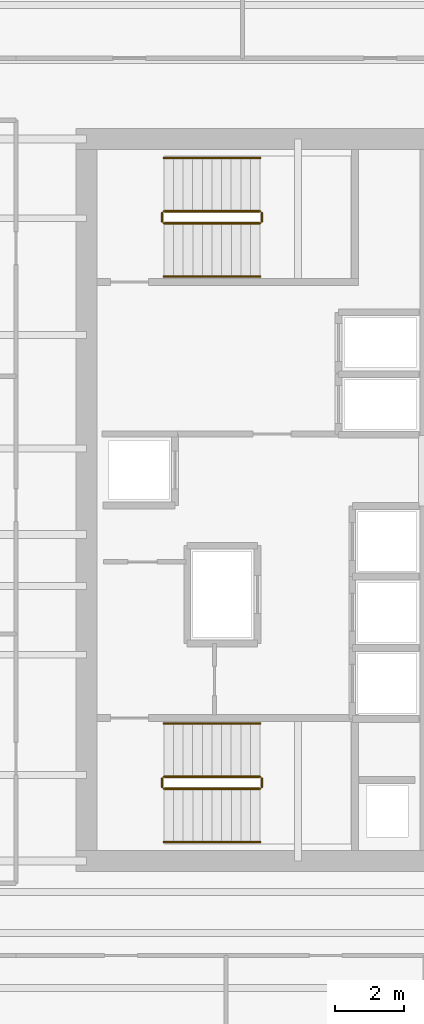
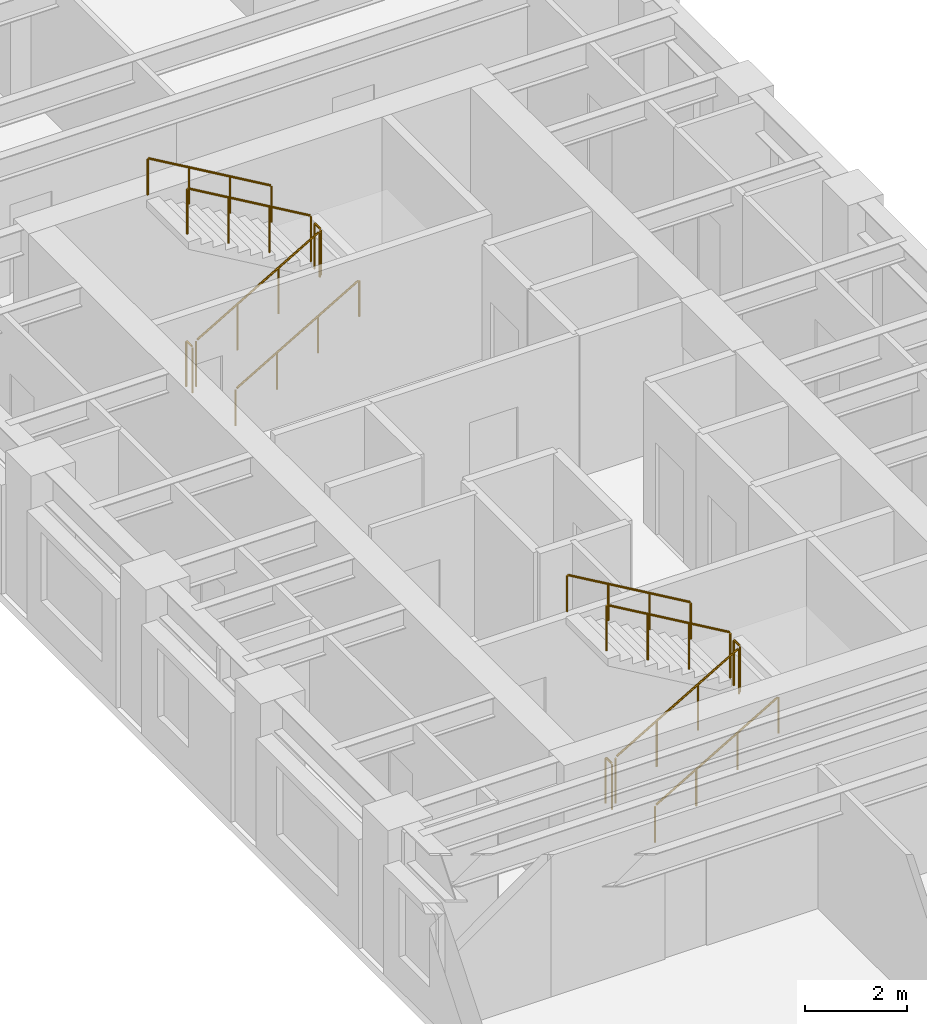
# One storey, part 10 of 11: 12 railings.
"""IFC4 building model written with IfcOpenShell, lengths in metres."""

import ifcopenshell
import ifcopenshell.guid

model = None  # the IFC model being written
_history = None  # IfcOwnerHistory: only IFC2X3 demands one
_inside = {}  # id of a spatial element -> (the spatial element, [elements in it])
_under = {}  # id of a project, library or spatial element -> (it, [spatial elements below it])
_declared = {}  # id of a project -> (the project, [libraries it declares])
_typed = {}  # id of a type object -> (the type object, [elements of that type])
_made_of = {}  # id of a material, layer set ... -> (it, [elements and type objects made of it])


def new_model(schema):
    """Start an empty IFC model of exactly this schema.

    Asked for "IFC4X3", IfcOpenShell would pick the latest addendum, in which some entities
    have other attributes; the version numbers below select the first issue.
    IFC2X3 requires an IfcOwnerHistory on every rooted entity: one is made here for all.
    """
    global model, _history
    if schema == "IFC4X3":
        model = ifcopenshell.file(schema_version=(4, 3, 0, 0))
    else:
        model = ifcopenshell.file(schema=schema)
    _inside.clear()
    _under.clear()
    _declared.clear()
    _typed.clear()
    _made_of.clear()
    _history = None
    if model.schema == "IFC2X3":
        org = make("IfcOrganization", Name="unknown")
        user = make(
            "IfcPersonAndOrganization",
            ThePerson=make("IfcPerson", FamilyName="unknown"),
            TheOrganization=org,
        )
        app = make(
            "IfcApplication",
            ApplicationDeveloper=org,
            Version="unknown",
            ApplicationFullName="unknown",
            ApplicationIdentifier="unknown",
        )
        _history = make(
            "IfcOwnerHistory",
            OwningUser=user,
            OwningApplication=app,
            ChangeAction="ADDED",
            CreationDate=0,
        )
    return model


def make(cls, **values):
    """One entity of the class cls with the attributes given. An attribute that is None is left unset."""
    return model.create_entity(
        cls, **{name: value for name, value in values.items() if value is not None}
    )


def rooted(cls, **values):
    """An entity with a GlobalId (a new one), such as an element, a storey or a relation."""
    return make(cls, GlobalId=ifcopenshell.guid.new(), OwnerHistory=_history, **values)


def si_unit(unit_type, name, prefix=None):
    """IfcSIUnit, for example si_unit("LENGTHUNIT", "METRE", prefix="MILLI")."""
    return make("IfcSIUnit", UnitType=unit_type, Prefix=prefix, Name=name)


def assignment(units):
    """IfcUnitAssignment: the units of a project."""
    return None if units is None else make("IfcUnitAssignment", Units=units)


def point(xyz):
    """IfcCartesianPoint."""
    return None if xyz is None else make("IfcCartesianPoint", Coordinates=xyz)


def direction(xyz):
    """IfcDirection."""
    return None if xyz is None else make("IfcDirection", DirectionRatios=xyz)


def frame(location, z_axis=None, x_axis=None):
    """IfcAxis2Placement3D, a coordinate frame: its origin and axes. An axis left out is left unset."""
    return make(
        "IfcAxis2Placement3D",
        Location=point(location),
        Axis=direction(z_axis),
        RefDirection=direction(x_axis),
    )


def frame_2d(location, x_axis=None):
    """IfcAxis2Placement2D, a coordinate frame in the plane: its origin and x axis."""
    return make(
        "IfcAxis2Placement2D", Location=point(location), RefDirection=direction(x_axis)
    )


def origin():
    """The frame at (0, 0, 0) with its axes left unset."""
    return frame((0.0, 0.0, 0.0))


def origin_2d():
    """The frame at (0, 0) in the plane with its x axis left unset."""
    return frame_2d((0.0, 0.0))


def place(relative_to, where):
    """IfcLocalPlacement: puts the frame where relative to a parent placement (None: the world)."""
    return make(
        "IfcLocalPlacement", PlacementRelTo=relative_to, RelativePlacement=where
    )


def context(
    kind, dimensions, precision=None, world=None, true_north=None, identifier=None
):
    """IfcGeometricRepresentationContext, for example the 3D "Model" context."""
    return make(
        "IfcGeometricRepresentationContext",
        ContextIdentifier=identifier,
        ContextType=kind,
        CoordinateSpaceDimension=dimensions,
        Precision=precision,
        WorldCoordinateSystem=world,
        TrueNorth=true_north,
    )


def subcontext(parent, identifier, kind, view, scale=None):
    """IfcGeometricRepresentationSubContext, for example "Body" below "Model"."""
    return make(
        "IfcGeometricRepresentationSubContext",
        ContextIdentifier=identifier,
        ContextType=kind,
        ParentContext=parent,
        TargetScale=scale,
        TargetView=view,
    )


def project(units=None, contexts=None):
    """IfcProject with its units and contexts."""
    return rooted(
        "IfcProject",
        Name="project",
        RepresentationContexts=contexts,
        UnitsInContext=assignment(units),
    )


def spatial(cls, under=None, at=None, **own):
    """A site, building, storey or space (cls), placed at a placement, below another one or the project."""
    s = rooted(cls, ObjectPlacement=at, **own)
    if under is not None:
        _under.setdefault(under.id(), (under, []))[1].append(s)
    return s


def profile(cls, at=None, kind="AREA", **sizes):
    """A parametric profile (cls). Its sizes go by their IFC names, for example OverallWidth=200.0."""
    return make(cls, ProfileType=kind, Position=at, **sizes)


def circle(**sizes):
    """IfcCircleProfileDef."""
    return profile("IfcCircleProfileDef", **sizes)


def extrude(swept, where, along, depth):
    """IfcExtrudedAreaSolid: the profile swept, set in the frame where, extruded along a direction by depth."""
    return make(
        "IfcExtrudedAreaSolid",
        SweptArea=swept,
        Position=where,
        ExtrudedDirection=direction(along),
        Depth=depth,
    )


def shape(context_of_items, identifier, shape_type, items):
    """IfcShapeRepresentation: the items that make up one representation, for example the "Body"."""
    return make(
        "IfcShapeRepresentation",
        ContextOfItems=context_of_items,
        RepresentationIdentifier=identifier,
        RepresentationType=shape_type,
        Items=items,
    )


def source(mapping_origin, context_of_items, identifier, shape_type, items):
    """IfcRepresentationMap: a shape defined once, which mapped items show again and again."""
    return make(
        "IfcRepresentationMap",
        MappingOrigin=mapping_origin,
        MappedRepresentation=shape(context_of_items, identifier, shape_type, items),
    )


def transform(
    local_origin,
    x_axis=None,
    y_axis=None,
    z_axis=None,
    scale=None,
    scale2=None,
    scale3=None,
    uniform=True,
):
    """IfcCartesianTransformationOperator3D, or its non-uniform kind. x_axis, y_axis, z_axis: its Axis1, 2, 3."""
    if uniform:
        return make(
            "IfcCartesianTransformationOperator3D",
            Axis1=direction(x_axis),
            Axis2=direction(y_axis),
            LocalOrigin=point(local_origin),
            Scale=scale,
            Axis3=direction(z_axis),
        )
    return make(
        "IfcCartesianTransformationOperator3DnonUniform",
        Axis1=direction(x_axis),
        Axis2=direction(y_axis),
        LocalOrigin=point(local_origin),
        Scale=scale,
        Axis3=direction(z_axis),
        Scale2=scale2,
        Scale3=scale3,
    )


def mapped(mapping_source, mapping_target):
    """IfcMappedItem: shows the shape of a source again, moved by a transform."""
    return make(
        "IfcMappedItem", MappingSource=mapping_source, MappingTarget=mapping_target
    )


def material(Name=None, Category=None):
    """IfcMaterial."""
    return make("IfcMaterial", Name=Name, Category=Category)


def layer(
    of_material, thickness, ventilated=None, Name=None, Category=None, Priority=None
):
    """IfcMaterialLayer: one layer of a wall or slab, of a material (None: an air gap)."""
    return make(
        "IfcMaterialLayer",
        Material=of_material,
        LayerThickness=thickness,
        IsVentilated=ventilated,
        Name=Name,
        Category=Category,
        Priority=Priority,
    )


def layer_set(layers, Name=None):
    """IfcMaterialLayerSet."""
    return make("IfcMaterialLayerSet", MaterialLayers=layers, LayerSetName=Name)


def made_of(thing, what):
    """Note that an element or type object is made of a material, layer set ...; save() writes the relation."""
    if what is not None:
        _made_of.setdefault(what.id(), (what, []))[1].append(thing)
    return thing


def type_object(cls, material=None, **own):
    """A type object (cls), such as IfcWallType, which elements share."""
    return made_of(rooted(cls, **own), material)


def element(
    cls,
    number,
    at=None,
    inside=None,
    cuts=None,
    type_object=None,
    material=None,
    context=None,
    identifier="Body",
    shape_type=None,
    held_by="IfcProductDefinitionShape",
    body=None,
    shapes=None,
    **own,
):
    """One element of the class cls, such as IfcWall. Its Tag is "e" and its number.

    at: its placement. inside: the storey or other place that contains it. cuts: it is an
    opening in that element (IfcRelVoidsElement). A single representation is given by context,
    identifier, shape_type and body (its items); several are given by shapes. held_by: the class
    of the entity that holds the representations. save() writes the other relations.
    """
    e = rooted(cls, Tag="e%d" % number, ObjectPlacement=at, **own)
    if body is not None:
        shapes = [shape(context, identifier, shape_type, body)]
    if shapes is not None:
        e.Representation = make(held_by, Representations=shapes)
    if inside is not None:
        _inside.setdefault(inside.id(), (inside, []))[1].append(e)
    if cuts is not None:
        rooted(
            "IfcRelVoidsElement", RelatingBuildingElement=cuts, RelatedOpeningElement=e
        )
    if type_object is not None:
        _typed.setdefault(type_object.id(), (type_object, []))[1].append(e)
    return made_of(e, material)


def aggregate(whole, parts):
    """IfcRelAggregates: a whole, such as a stair, and the parts it consists of."""
    return rooted("IfcRelAggregates", RelatingObject=whole, RelatedObjects=parts)


def save(model, path):
    """Write the relations noted so far, then the file.

    IfcRelAggregates (storeys below a building ...), IfcRelContainedInSpatialStructure (elements
    in a storey), IfcRelDefinesByType, IfcRelAssociatesMaterial and IfcRelDeclares: one each for
    every whole, place, type object, material and project.
    """
    for whole, parts in _under.values():
        aggregate(whole, parts)
    for where, things in _inside.values():
        rooted(
            "IfcRelContainedInSpatialStructure",
            RelatedElements=things,
            RelatingStructure=where,
        )
    for kind, things in _typed.values():
        rooted("IfcRelDefinesByType", RelatedObjects=things, RelatingType=kind)
    for what, things in _made_of.values():
        rooted("IfcRelAssociatesMaterial", RelatedObjects=things, RelatingMaterial=what)
    for by, libraries in _declared.values():
        rooted("IfcRelDeclares", RelatingContext=by, RelatedDefinitions=libraries)
    model.write(path)


model = new_model("IFC4")

# Units and contexts
model_context = context("Model", 3, precision=1e-05, world=origin(), true_north=direction((0.0, 1.0)))
body_context = subcontext(model_context, "Body", "Model", "MODEL_VIEW")
ifc_project = project(units=[si_unit("LENGTHUNIT", "METRE"), si_unit("AREAUNIT", "SQUARE_METRE"), si_unit("VOLUMEUNIT", "CUBIC_METRE"), si_unit("PLANEANGLEUNIT", "RADIAN"), si_unit("MASSUNIT", "GRAM", prefix="KILO")], contexts=[model_context])

# Site, building, storey
site_placement = place(None, origin())
site = spatial("IfcSite", under=ifc_project, at=site_placement, CompositionType="ELEMENT")
building_placement = place(site_placement, origin())
building = spatial("IfcBuilding", under=site, at=building_placement, Name="Kharzan Plaza Tower", CompositionType="ELEMENT")
storey_placement = place(building_placement, frame((0.0, 0.0, 182.699951171875)))
storey = spatial("IfcBuildingStorey", under=building, at=storey_placement, Name="L49", CompositionType="ELEMENT", Elevation=182.699951171875)

# Railings
ifc_material_1 = material(Name="Painted Galvanized Architectural Steel", Category="steel")
ifc_layer_1 = layer(ifc_material_1, 0.074951171875)
ifc_layer_set_1 = layer_set([ifc_layer_1], Name="Painted Galvanized Architectural Steel")
railing_type_1 = type_object("IfcRailingType", Name="RL-GUARD-1120", PredefinedType="BALUSTRADE", material=ifc_layer_set_1)
shared_shape_1 = source(origin(), body_context, "Body", "SweptSolid", [
    extrude(circle(Radius=0.02392578125, at=origin_2d()), frame((0.0, 0.0263671875, 1.09619140625), z_axis=(0.0, 1.0, 0.0), x_axis=(-1.0, 0.0, 0.0)), (0.0, 0.0, 1.0), 0.197021484375),
    extrude(circle(Radius=0.02099609375, at=origin_2d()), origin(), (0.0, 0.0, 1.0), 1.072021484375),
    extrude(circle(Radius=0.02099609375, at=origin_2d()), frame((0.0, 0.25, 0.0)), (0.0, 0.0, 1.0), 1.072021484375),
])
for number, where, name in (
    (1, (9.60009765625, 10.64990234375, 1.800048828125), "L49 ST-1 stair guard 2"),
    (2, (6.699951171875, 10.64990234375, 0.0), "L49 ST-1 stair guard 4"),
    (3, (9.60009765625, 27.10009765625, 1.800048828125), "L49 ST-2 stair guard 2"),
    (4, (6.699951171875, 27.10009765625, 0.0), "L49 ST-2 stair guard 4"),
):
    element("IfcRailing", number, at=place(storey_placement, frame(where)), inside=storey, type_object=railing_type_1, Name=name, PredefinedType="BALUSTRADE", context=body_context, shape_type="MappedRepresentation", body=[
        mapped(shared_shape_1, transform((0.0, 0.0, 0.0), x_axis=(1.0, 0.0, 0.0), y_axis=(0.0, 1.0, 0.0), z_axis=(0.0, 0.0, 1.0))),
    ])
shared_shape_2 = source(origin(), body_context, "Body", "SweptSolid", [
    extrude(circle(Radius=0.02392578125, at=origin_2d()), frame((0.02294921875, 0.0, 1.109375), z_axis=(0.863360870873, 0.0, 0.504586966384), x_axis=(0.0, 1.0, 0.0)), (0.0, 0.0, 1.0), 3.190185546875),
    extrude(circle(Radius=0.02099609375, at=origin_2d()), origin(), (0.0, 0.0, 1.0), 1.072021484375),
    extrude(circle(Radius=0.02099609375, at=origin_2d()), frame((0.933349609375, 0.0, 0.54541015625)), (0.0, 0.0, 1.0), 1.072021484375),
    extrude(circle(Radius=0.02099609375, at=origin_2d()), frame((1.86669921875, 0.0, 1.091064453125)), (0.0, 0.0, 1.0), 1.072021484375),
    extrude(circle(Radius=0.02099609375, at=origin_2d()), frame((2.800048828125, 0.0, 1.636474609375)), (0.0, 0.0, 1.0), 1.072021484375),
])
for number, where, name in (
    (5, (6.75, 10.60009765625, 0.16357421875), "L49 ST-1 stair guard 1"),
    (6, (6.75, 27.050048828125, 0.16357421875), "L49 ST-2 stair guard 1"),
):
    element("IfcRailing", number, at=place(storey_placement, frame(where)), inside=storey, type_object=railing_type_1, Name=name, PredefinedType="BALUSTRADE", context=body_context, shape_type="MappedRepresentation", body=[
        mapped(shared_shape_2, transform((0.0, 0.0, 0.0), x_axis=(1.0, 0.0, 0.0), y_axis=(0.0, 1.0, 0.0), z_axis=(0.0, 0.0, 1.0))),
    ])
shared_shape_3 = source(origin(), body_context, "Body", "SweptSolid", [
    extrude(circle(Radius=0.02392578125, at=origin_2d()), frame((-0.02294921875, 0.0, 1.109375), z_axis=(-0.863360870873, 0.0, 0.504586966384), x_axis=(0.0, -1.0, 0.0)), (0.0, 0.0, 1.0), 3.190185546875),
    extrude(circle(Radius=0.02099609375, at=origin_2d()), origin(), (0.0, 0.0, 1.0), 1.072021484375),
    extrude(circle(Radius=0.02099609375, at=origin_2d()), frame((-0.933349609375, 0.0, 0.54541015625)), (0.0, 0.0, 1.0), 1.072021484375),
    extrude(circle(Radius=0.02099609375, at=origin_2d()), frame((-1.86669921875, 0.0, 1.091064453125)), (0.0, 0.0, 1.0), 1.072021484375),
    extrude(circle(Radius=0.02099609375, at=origin_2d()), frame((-2.800048828125, 0.0, 1.636474609375)), (0.0, 0.0, 1.0), 1.072021484375),
])
for number, where, name in (
    (7, (9.550048828125, 10.949951171875, 1.963623046875), "L49 ST-1 stair guard 3"),
    (8, (9.550048828125, 27.39990234375, 1.963623046875), "L49 ST-2 stair guard 3"),
):
    element("IfcRailing", number, at=place(storey_placement, frame(where)), inside=storey, type_object=railing_type_1, Name=name, PredefinedType="BALUSTRADE", context=body_context, shape_type="MappedRepresentation", body=[
        mapped(shared_shape_3, transform((0.0, 0.0, 0.0), x_axis=(1.0, 0.0, 0.0), y_axis=(0.0, 1.0, 0.0), z_axis=(0.0, 0.0, 1.0))),
    ])
ifc_material_2 = material(Name="Brushed Stainless Steel", Category="steel")
ifc_layer_2 = layer(ifc_material_2, 0.050048828125)
ifc_layer_set_2 = layer_set([ifc_layer_2], Name="Brushed Stainless Steel")
railing_type_2 = type_object("IfcRailingType", Name="RL-STAIR-HR920", PredefinedType="HANDRAIL", material=ifc_layer_set_2)
shared_shape_4 = source(origin(), body_context, "Body", "SweptSolid", [
    extrude(circle(Radius=0.02392578125, at=origin_2d()), frame((0.02294921875, 0.0, 0.88916015625), z_axis=(0.863360870873, 0.0, 0.504586966384), x_axis=(0.0, 1.0, 0.0)), (0.0, 0.0, 1.0), 3.190185546875),
    extrude(circle(Radius=0.02099609375, at=origin_2d()), origin(), (0.0, 0.0, 1.0), 0.851806640625),
    extrude(circle(Radius=0.02099609375, at=origin_2d()), frame((0.933349609375, 0.0, 0.54541015625)), (0.0, 0.0, 1.0), 0.851806640625),
    extrude(circle(Radius=0.02099609375, at=origin_2d()), frame((1.86669921875, 0.0, 1.091064453125)), (0.0, 0.0, 1.0), 0.851806640625),
    extrude(circle(Radius=0.02099609375, at=origin_2d()), frame((2.800048828125, 0.0, 1.636474609375)), (0.0, 0.0, 1.0), 0.851806640625),
])
for number, where, name in (
    (9, (6.75, 9.050048828125, 0.16357421875), "L49 ST-1 stair handrail 1"),
    (10, (6.75, 25.5, 0.16357421875), "L49 ST-2 stair handrail 1"),
):
    element("IfcRailing", number, at=place(storey_placement, frame(where)), inside=storey, type_object=railing_type_2, Name=name, PredefinedType="HANDRAIL", context=body_context, shape_type="MappedRepresentation", body=[
        mapped(shared_shape_4, transform((0.0, 0.0, 0.0), x_axis=(1.0, 0.0, 0.0), y_axis=(0.0, 1.0, 0.0), z_axis=(0.0, 0.0, 1.0))),
    ])
shared_shape_5 = source(origin(), body_context, "Body", "SweptSolid", [
    extrude(circle(Radius=0.02392578125, at=origin_2d()), frame((-0.02294921875, 0.0, 0.88916015625), z_axis=(-0.863360870873, 0.0, 0.504586966384), x_axis=(0.0, -1.0, 0.0)), (0.0, 0.0, 1.0), 3.190185546875),
    extrude(circle(Radius=0.02099609375, at=origin_2d()), origin(), (0.0, 0.0, 1.0), 0.851806640625),
    extrude(circle(Radius=0.02099609375, at=origin_2d()), frame((-0.933349609375, 0.0, 0.54541015625)), (0.0, 0.0, 1.0), 0.851806640625),
    extrude(circle(Radius=0.02099609375, at=origin_2d()), frame((-1.86669921875, 0.0, 1.091064453125)), (0.0, 0.0, 1.0), 0.851806640625),
    extrude(circle(Radius=0.02099609375, at=origin_2d()), frame((-2.800048828125, 0.0, 1.636474609375)), (0.0, 0.0, 1.0), 0.851806640625),
])
for number, where, name in (
    (11, (9.550048828125, 12.5, 1.963623046875), "L49 ST-1 stair handrail 2"),
    (12, (9.550048828125, 28.949951171875, 1.963623046875), "L49 ST-2 stair handrail 2"),
):
    element("IfcRailing", number, at=place(storey_placement, frame(where)), inside=storey, type_object=railing_type_2, Name=name, PredefinedType="HANDRAIL", context=body_context, shape_type="MappedRepresentation", body=[
        mapped(shared_shape_5, transform((0.0, 0.0, 0.0), x_axis=(1.0, 0.0, 0.0), y_axis=(0.0, 1.0, 0.0), z_axis=(0.0, 0.0, 1.0))),
    ])

save(model, "model.ifc")
